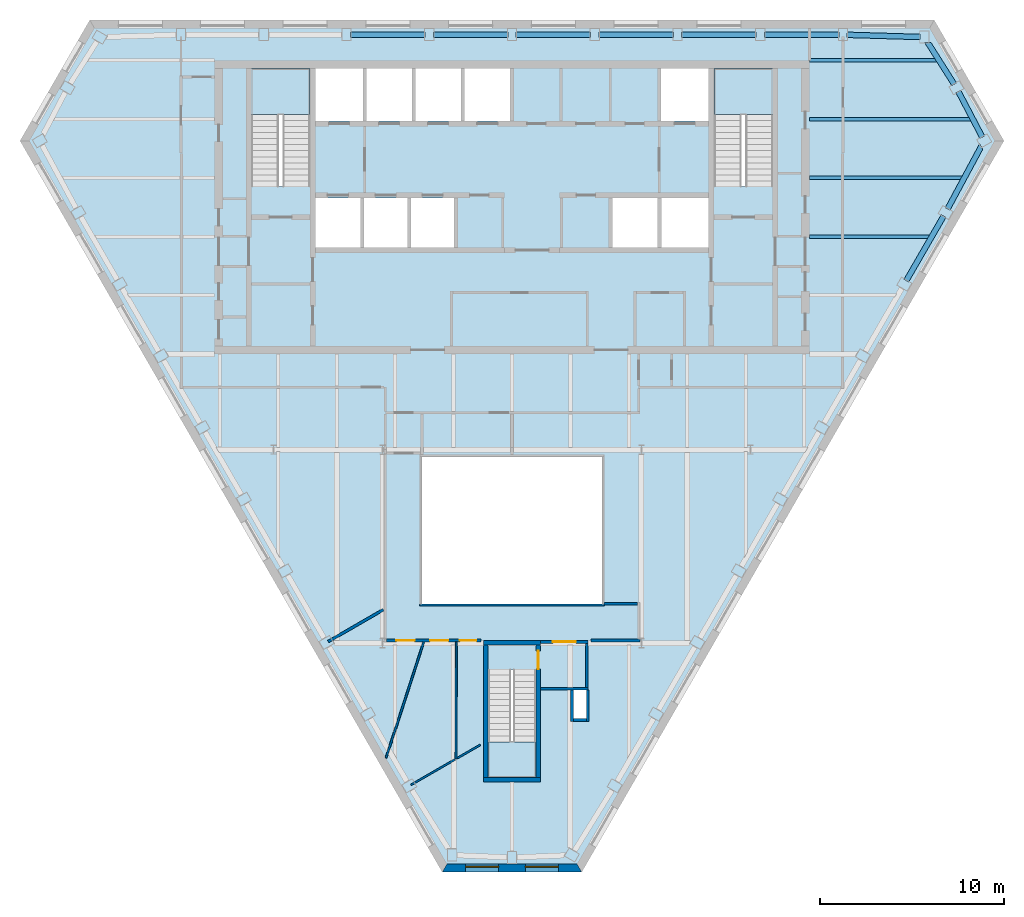
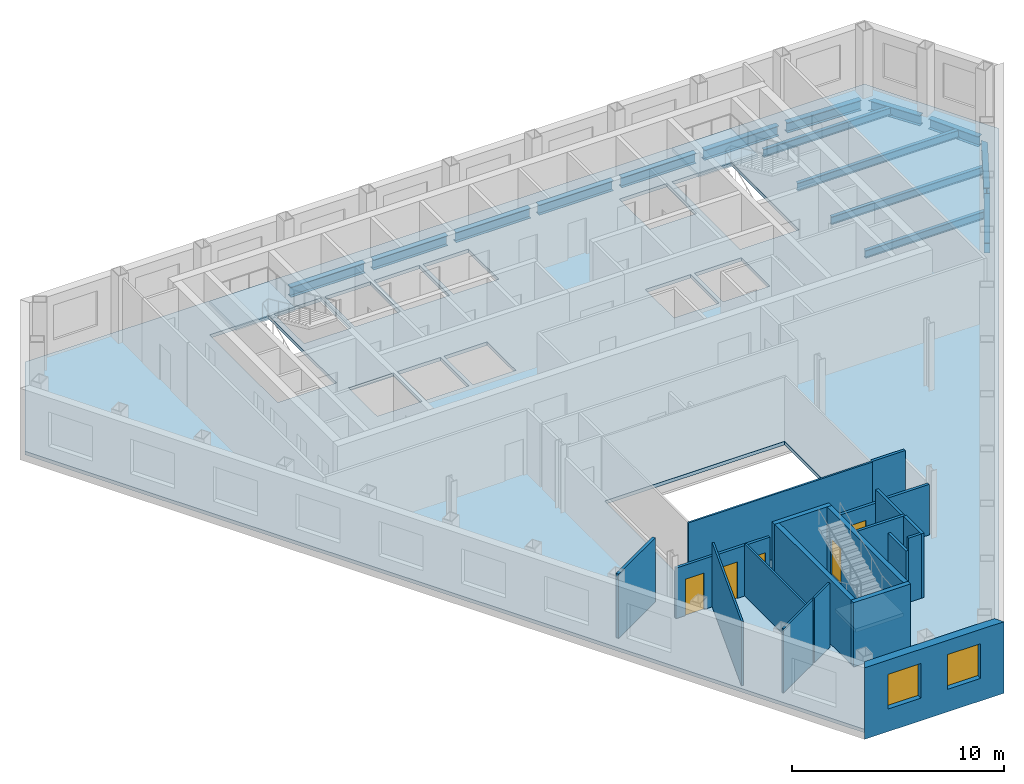
# One storey, part 3 of 10: 20 walls, 15 beams, 5 doors, 4 slabs, 2 windows, 7 openings, 3 elements without a shape of their own.
"""IFC4 building model written with IfcOpenShell, lengths in metres."""

from ifc_helpers import new_model, si_unit, direction, frame, frame_2d, origin, origin_2d, place, context, subcontext, project, spatial, polyline, rectangle, i_section, outline, extrude, clip, halfspace, material, layer, layer_set, material_profile, profile_set, type_object, element, fill, aggregate, save


model = new_model("IFC4")

# Units and contexts
model_context = context("Model", 3, precision=1e-05, world=origin(), true_north=direction((0.0, 1.0)))
body_context = subcontext(model_context, "Body", "Model", "MODEL_VIEW")
ifc_project = project(units=[si_unit("LENGTHUNIT", "METRE"), si_unit("AREAUNIT", "SQUARE_METRE"), si_unit("VOLUMEUNIT", "CUBIC_METRE"), si_unit("PLANEANGLEUNIT", "RADIAN"), si_unit("MASSUNIT", "GRAM", prefix="KILO")], contexts=[model_context])

# Site, building, storey
site_placement = place(None, origin())
site = spatial("IfcSite", under=ifc_project, at=site_placement, CompositionType="ELEMENT")
building_placement = place(site_placement, origin())
building = spatial("IfcBuilding", under=site, at=building_placement, Name="Njiva Tower", CompositionType="ELEMENT")
storey_placement = place(building_placement, frame((0.0, 0.0, 200.4)))
storey = spatial("IfcBuildingStorey", under=building, at=storey_placement, Name="L44", CompositionType="ELEMENT", Elevation=200.4)

# Beams
ifc_material_1 = material(Name="Steel S355 J2", Category="steel")
ifc_material_profile_1 = material_profile(ifc_material_1, i_section(OverallWidth=0.3, OverallDepth=0.59, WebThickness=0.013, FlangeThickness=0.025, at=origin_2d()), Name="HEA 600")
ifc_profile_set_1 = profile_set([ifc_material_profile_1], Name="Steel S355 J2")
beam_type_1 = type_object("IfcBeamType", Name="B27 Short-span spandrel beam HEA 600", PredefinedType="SPANDREL", material=ifc_profile_set_1)
beam_1_placement = place(storey_placement, frame((22.232, 19.274, -0.495), z_axis=(-0.999551735133, 0.029938750687, 0.0), x_axis=(-0.029938750687, -0.999551735133, 0.0)))
element("IfcBeam", 1, at=beam_1_placement, inside=storey, type_object=beam_type_1, Name="Short-span spandrel beam S14-B132", PredefinedType="SPANDREL", context=body_context, shape_type="SweptSolid", body=[
    extrude(i_section(OverallWidth=0.3, OverallDepth=0.59, WebThickness=0.013, FlangeThickness=0.025, at=origin_2d()), origin(), (0.0, 0.0, 1.0), 3.9748),
])
beam_2_placement = place(storey_placement, frame((17.805, 19.4, -0.495), z_axis=(-1.0, 0.0, 0.0), x_axis=(0.0, -1.0, 0.0)))
element("IfcBeam", 2, at=beam_2_placement, inside=storey, type_object=beam_type_1, Name="Short-span spandrel beam S14-B127", PredefinedType="SPANDREL", context=body_context, shape_type="SweptSolid", body=[
    extrude(i_section(OverallWidth=0.3, OverallDepth=0.59, WebThickness=0.013, FlangeThickness=0.025, at=origin_2d()), origin(), (0.0, 0.0, 1.0), 4.057),
])
beam_3_placement = place(storey_placement, frame((13.298, 19.4, -0.495), z_axis=(-1.0, 0.0, 0.0), x_axis=(0.0, -1.0, 0.0)))
element("IfcBeam", 3, at=beam_3_placement, inside=storey, type_object=beam_type_1, Name="Short-span spandrel beam S14-B122", PredefinedType="SPANDREL", context=body_context, shape_type="SweptSolid", body=[
    extrude(i_section(OverallWidth=0.3, OverallDepth=0.59, WebThickness=0.013, FlangeThickness=0.025, at=origin_2d()), origin(), (0.0, 0.0, 1.0), 4.058),
])
beam_4_placement = place(storey_placement, frame((8.79, 19.4, -0.495), z_axis=(-1.0, 0.0, 0.0), x_axis=(0.0, -1.0, 0.0)))
element("IfcBeam", 4, at=beam_4_placement, inside=storey, type_object=beam_type_1, Name="Short-span spandrel beam S14-B117", PredefinedType="SPANDREL", context=body_context, shape_type="SweptSolid", body=[
    extrude(i_section(OverallWidth=0.3, OverallDepth=0.59, WebThickness=0.013, FlangeThickness=0.025, at=origin_2d()), origin(), (0.0, 0.0, 1.0), 4.057),
])
for number, where, z_axis, x_axis, name in (
    (5, (4.283, 19.4, -0.495), (-1.0, 0.0, 0.0), (0.0, -1.0, 0.0), "Short-span spandrel beam S14-B112"),
    (6, (-0.225, 19.4, -0.495), (-1.0, 0.0, 0.0), (0.0, -1.0, 0.0), "Short-span spandrel beam S14-B109"),
):
    element("IfcBeam", number, at=place(storey_placement, frame(where, z_axis=z_axis, x_axis=x_axis)), inside=storey, type_object=beam_type_1, Name=name, PredefinedType="SPANDREL", context=body_context, shape_type="SweptSolid", body=[
        extrude(i_section(OverallWidth=0.3, OverallDepth=0.59, WebThickness=0.013, FlangeThickness=0.025, at=origin_2d()), origin(), (0.0, 0.0, 1.0), 4.058),
    ])
beam_5_placement = place(storey_placement, frame((-4.733, 19.4, -0.495), z_axis=(-1.0, 0.0, 0.0), x_axis=(0.0, -1.0, 0.0)))
element("IfcBeam", 7, at=beam_5_placement, inside=storey, type_object=beam_type_1, Name="Short-span spandrel beam S14-B104", PredefinedType="SPANDREL", context=body_context, shape_type="SweptSolid", body=[
    extrude(i_section(OverallWidth=0.3, OverallDepth=0.59, WebThickness=0.013, FlangeThickness=0.025, at=origin_2d()), origin(), (0.0, 0.0, 1.0), 4.057),
])
beam_6_placement = place(storey_placement, frame((21.481, 6.006, -0.495), z_axis=(0.500142068684, 0.865943364853, 0.0), x_axis=(-0.865943364853, 0.500142068684, 0.0)))
element("IfcBeam", 8, at=beam_6_placement, inside=storey, type_object=beam_type_1, Name="Short-span spandrel beam S14-B136", PredefinedType="SPANDREL", context=body_context, shape_type="SweptSolid", body=[
    extrude(i_section(OverallWidth=0.3, OverallDepth=0.59, WebThickness=0.013, FlangeThickness=0.025, at=origin_2d()), origin(), (0.0, 0.0, 1.0), 4.0568),
])
beam_7_placement = place(storey_placement, frame((23.731, 9.915, -0.495), z_axis=(0.473697336162, 0.880687704986, 0.0), x_axis=(-0.880687704986, 0.473697336162, 0.0)))
element("IfcBeam", 9, at=beam_7_placement, inside=storey, type_object=beam_type_1, Name="Short-span spandrel beam S14-B140", PredefinedType="SPANDREL", context=body_context, shape_type="Clipping", body=[
    clip(extrude(i_section(OverallWidth=0.3, OverallDepth=0.59, WebThickness=0.013, FlangeThickness=0.025, at=origin_2d()), origin(), (0.0, 0.0, 1.0), 3.9657), halfspace(frame((-0.026, 0.0, 3.8362), z_axis=(-0.525851211947, 0.0, 0.850576570859), x_axis=(0.0, 1.0, 0.0)), False)),
])
beam_8_placement = place(storey_placement, frame((25.616, 13.822, -0.495), z_axis=(-0.464393456364, 0.885628995509, 0.0), x_axis=(-0.885628995509, -0.464393456364, 0.0)))
element("IfcBeam", 10, at=beam_8_placement, inside=storey, type_object=beam_type_1, Name="Short-span spandrel beam S14-B141", PredefinedType="SPANDREL", context=body_context, shape_type="SweptSolid", body=[
    extrude(i_section(OverallWidth=0.3, OverallDepth=0.59, WebThickness=0.013, FlangeThickness=0.025, at=origin_2d()), origin(), (0.0, 0.0, 1.0), 2.8037),
])
beam_9_placement = place(storey_placement, frame((24.084, 16.704, -0.495), z_axis=(-0.53498990648, 0.844858449661, 0.0), x_axis=(-0.844858449661, -0.53498990648, 0.0)))
element("IfcBeam", 11, at=beam_9_placement, inside=storey, type_object=beam_type_1, Name="Short-span spandrel beam S14-B137", PredefinedType="SPANDREL", context=body_context, shape_type="Clipping", body=[
    clip(extrude(i_section(OverallWidth=0.3, OverallDepth=0.59, WebThickness=0.013, FlangeThickness=0.025, at=origin_2d()), origin(), (0.0, 0.0, 1.0), 2.7936), halfspace(frame((-0.0269, 0.0, 2.6615), z_axis=(-0.53498990648, 0.0, 0.844858449661), x_axis=(0.0, 1.0, 0.0)), False)),
])
ifc_material_profile_2 = material_profile(ifc_material_1, i_section(OverallWidth=0.19, OverallDepth=0.45, WebThickness=0.0094, FlangeThickness=0.0146, at=origin_2d()), Name="IPE 450")
ifc_profile_set_2 = profile_set([ifc_material_profile_2], Name="Steel S355 J2")
beam_type_2 = type_object("IfcBeamType", Name="B37 Floor beam to the core IPE 450", PredefinedType="BEAM", material=ifc_profile_set_2)
beam_10_placement = place(storey_placement, frame((16.2, 8.4, -0.425), z_axis=(1.0, 0.0, 0.0), x_axis=(0.0, 1.0, 0.0)))
element("IfcBeam", 12, at=beam_10_placement, inside=storey, type_object=beam_type_2, Name="Floor beam to the core S14-B007", PredefinedType="BEAM", context=body_context, shape_type="Clipping", body=[
    clip(extrude(i_section(OverallWidth=0.19, OverallDepth=0.45, WebThickness=0.0094, FlangeThickness=0.0146, at=origin_2d()), origin(), (0.0, 0.0, 1.0), 6.623), halfspace(frame((-0.025, 0.0, 6.5336), z_axis=(-0.499998009787, 0.0, 0.866026552831), x_axis=(0.0, 1.0, 0.0)), False)),
])
beam_11_placement = place(storey_placement, frame((16.2, 11.6, -0.425), z_axis=(1.0, 0.0, 0.0), x_axis=(0.0, 1.0, 0.0)))
element("IfcBeam", 13, at=beam_11_placement, inside=storey, type_object=beam_type_2, Name="Floor beam to the core S14-B008", PredefinedType="BEAM", context=body_context, shape_type="Clipping", body=[
    clip(extrude(i_section(OverallWidth=0.19, OverallDepth=0.45, WebThickness=0.0094, FlangeThickness=0.0146, at=origin_2d()), origin(), (0.0, 0.0, 1.0), 8.394), halfspace(frame((-0.0237, 0.0, 8.3105), z_axis=(-0.473769423091, 0.0, 0.880648927634), x_axis=(0.0, 1.0, 0.0)), False)),
])
beam_12_placement = place(storey_placement, frame((16.2, 14.8, -0.425), z_axis=(1.0, 0.0, 0.0), x_axis=(0.0, 1.0, 0.0)))
element("IfcBeam", 14, at=beam_12_placement, inside=storey, type_object=beam_type_2, Name="Floor beam to the core S14-B009", PredefinedType="BEAM", context=body_context, shape_type="Clipping", body=[
    clip(extrude(i_section(OverallWidth=0.19, OverallDepth=0.45, WebThickness=0.0094, FlangeThickness=0.0146, at=origin_2d()), origin(), (0.0, 0.0, 1.0), 8.86), halfspace(frame((0.0232, 0.0, 8.778), z_axis=(0.464267418007, 0.0, 0.885695074265), x_axis=(0.0, 1.0, 0.0)), False)),
])
beam_13_placement = place(storey_placement, frame((16.2, 18.0, -0.425), z_axis=(1.0, 0.0, 0.0), x_axis=(0.0, 1.0, 0.0)))
element("IfcBeam", 15, at=beam_13_placement, inside=storey, type_object=beam_type_2, Name="Floor beam to the core S14-B010", PredefinedType="BEAM", context=body_context, shape_type="Clipping", body=[
    clip(extrude(i_section(OverallWidth=0.19, OverallDepth=0.45, WebThickness=0.0094, FlangeThickness=0.0146, at=origin_2d()), origin(), (0.0, 0.0, 1.0), 7.025), halfspace(frame((0.0267, 0.0, 6.928), z_axis=(0.534902428971, 0.0, 0.84491383672), x_axis=(0.0, 1.0, 0.0)), False)),
])

# Stair, slab
ifc_material_2 = material(Name="Concrete C40/50", Category="concrete")
stair_type_1 = type_object("IfcStairType", Name="ST4 Exit stair 1500", PredefinedType="HALF_TURN_STAIR", material=ifc_material_2)
stair_1_placement = place(storey_placement, origin())
stair_1 = element("IfcStair", 16, at=stair_1_placement, inside=storey, type_object=stair_type_1, Name="Stair A", PredefinedType="HALF_TURN_STAIR")
ifc_layer_1 = layer(ifc_material_2, 0.2)
ifc_layer_set_1 = layer_set([ifc_layer_1], Name="Concrete C40/50")
slab_type_1 = type_object("IfcSlabType", Name="FL9 Stair landing 200", PredefinedType="LANDING", material=ifc_layer_set_1)
slab_1_placement = place(storey_placement, frame((0.0, 0.0, 1.75)))
slab_1 = element("IfcSlab", 17, at=slab_1_placement, type_object=slab_type_1, Name="ST-A landing 1", PredefinedType="LANDING", context=body_context, shape_type="SweptSolid", body=[
    extrude(outline(polyline([(-14.206, 15.06), (-10.994, 15.06), (-10.994, 17.55), (-14.206, 17.55), (-14.206, 15.06)])), origin(), (0.0, 0.0, 1.0), 0.2),
])
aggregate(stair_1, [slab_1])

stair_2_placement = place(storey_placement, origin())
stair_2 = element("IfcStair", 18, at=stair_2_placement, inside=storey, type_object=stair_type_1, Name="Stair B", PredefinedType="HALF_TURN_STAIR")
slab_2_placement = place(storey_placement, frame((0.0, 0.0, 1.75)))
slab_2 = element("IfcSlab", 19, at=slab_2_placement, type_object=slab_type_1, Name="ST-B landing 1", PredefinedType="LANDING", context=body_context, shape_type="SweptSolid", body=[
    extrude(outline(polyline([(10.994, 15.06), (14.206, 15.06), (14.206, 17.55), (10.994, 17.55), (10.994, 15.06)])), origin(), (0.0, 0.0, 1.0), 0.2),
])
aggregate(stair_2, [slab_2])

stair_type_2 = type_object("IfcStairType", Name="ST1 Exit stair 1250", PredefinedType="HALF_TURN_STAIR", material=ifc_material_2)
stair_3_placement = place(storey_placement, origin())
stair_3 = element("IfcStair", 20, at=stair_3_placement, inside=storey, type_object=stair_type_2, Name="Stair C", PredefinedType="HALF_TURN_STAIR")
slab_3_placement = place(storey_placement, frame((0.0, 0.0, 1.75)))
slab_3 = element("IfcSlab", 21, at=slab_3_placement, type_object=slab_type_1, Name="ST-C landing 1", PredefinedType="LANDING", context=body_context, shape_type="SweptSolid", body=[
    extrude(outline(polyline([(-1.306, -21.05), (1.306, -21.05), (1.306, -19.12), (-1.306, -19.12), (-1.306, -21.05)])), origin(), (0.0, 0.0, 1.0), 0.2),
])
aggregate(stair_3, [slab_3])

# Slab
ifc_material_3 = material(Name="Concrete C30/37", Category="concrete")
ifc_layer_2 = layer(ifc_material_3, 0.2)
ifc_layer_set_2 = layer_set([ifc_layer_2], Name="Concrete C30/37")
slab_type_2 = type_object("IfcSlabType", Name="SL16 Composite floor slab 200", PredefinedType="FLOOR", material=ifc_layer_set_2)
slab_4_placement = place(storey_placement, frame((0.0, 0.0, -0.2)))
element("IfcSlab", 22, at=slab_4_placement, inside=storey, type_object=slab_type_2, Name="Floor slab L44", PredefinedType="FLOOR", context=body_context, shape_type="SweptSolid", body=[
    extrude(outline(polyline([(26.5402, 13.6182), (3.6701, -25.994), (-3.6701, -25.994), (-26.5402, 13.6182), (-22.8701, 19.975), (22.8701, 19.975), (26.5402, 13.6182)]), holes=[polyline([(10.994, 11.13), (14.206, 11.13), (14.206, 17.55), (10.994, 17.55), (10.994, 11.13)]), polyline([(8.125, 14.7), (10.7, 14.7), (10.7, 17.55), (8.125, 17.55), (8.125, 14.7)]), polyline([(8.1333, 7.8), (10.7, 7.8), (10.7, 10.5), (8.1333, 10.5), (8.1333, 7.8)]), polyline([(5.4667, 7.8), (7.9333, 7.8), (7.9333, 10.5), (5.4667, 10.5), (5.4667, 7.8)]), polyline([(4.9, -11.6), (4.9, -3.6), (-4.9, -3.6), (-4.9, -11.6), (4.9, -11.6)]), polyline([(3.35, -17.85), (4.05, -17.85), (4.05, -16.3), (3.35, -16.3), (3.35, -17.85)]), polyline([(-1.306, -21.05), (1.306, -21.05), (1.306, -15.19), (-1.306, -15.19), (-1.306, -21.05)]), polyline([(-2.575, 14.7), (-0.1, 14.7), (-0.1, 17.55), (-2.575, 17.55), (-2.575, 14.7)]), polyline([(-5.25, 14.7), (-2.775, 14.7), (-2.775, 17.55), (-5.25, 17.55), (-5.25, 14.7)]), polyline([(-5.5, 7.8), (-3.15, 7.8), (-3.15, 10.5), (-5.5, 10.5), (-5.5, 7.8)]), polyline([(-7.925, 14.7), (-5.45, 14.7), (-5.45, 17.55), (-7.925, 17.55), (-7.925, 14.7)]), polyline([(-8.05, 7.8), (-5.7, 7.8), (-5.7, 10.5), (-8.05, 10.5), (-8.05, 7.8)]), polyline([(-10.7, 14.7), (-8.125, 14.7), (-8.125, 17.55), (-10.7, 17.55), (-10.7, 14.7)]), polyline([(-8.25, 7.8), (-8.25, 10.5), (-10.7, 10.5), (-10.7, 7.8), (-8.25, 7.8)]), polyline([(-14.206, 11.13), (-10.994, 11.13), (-10.994, 17.55), (-14.206, 17.55), (-14.206, 11.13)])]), origin(), (0.0, 0.0, 1.0), 0.2),
])

# Walls
ifc_material_4 = material(Name="Gypsum board on steel studs", Category="gypsum")
ifc_layer_3 = layer(ifc_material_4, 0.1)
ifc_layer_set_3 = layer_set([ifc_layer_3], Name="Gypsum board on steel studs")
wall_type_1 = type_object("IfcWallType", Name="WT20 Gypsum partition 100", PredefinedType="PARTITIONING", material=ifc_layer_set_3)
wall_1_placement = place(storey_placement, frame((-6.866, -20.008, 0.0), z_axis=(0.0, 0.0, 1.0), x_axis=(0.309446795586, 0.95091675803, 0.0)))
element("IfcWall", 23, at=wall_1_placement, inside=storey, type_object=wall_type_1, Name="Partition S14-P010", PredefinedType="PARTITIONING", context=body_context, shape_type="SweptSolid", body=[
    extrude(rectangle(XDim=6.6441, YDim=0.1, at=frame_2d((3.322, 0.0))), origin(), (0.0, 0.0, 1.0), 3.7),
])
wall_2_placement = place(storey_placement, frame((-5.505, -21.465, 0.0), z_axis=(0.0, 0.0, 1.0), x_axis=(0.866269282503, 0.49957735156, 0.0)))
element("IfcWall", 24, at=wall_2_placement, inside=storey, type_object=wall_type_1, Name="Partition S14-P013", PredefinedType="PARTITIONING", context=body_context, shape_type="SweptSolid", body=[
    extrude(rectangle(XDim=2.7844, YDim=0.1, at=frame_2d((1.3922, 0.0))), origin(), (0.0, 0.0, 1.0), 3.7),
])
wall_3_placement = place(storey_placement, frame((-3.056, -20.051, 0.0), z_axis=(0.0, 0.0, 1.0), x_axis=(0.002979911487, 0.999995560054, 0.0)))
element("IfcWall", 25, at=wall_3_placement, inside=storey, type_object=wall_type_1, Name="Partition S14-P015", PredefinedType="PARTITIONING", context=body_context, shape_type="SweptSolid", body=[
    extrude(rectangle(XDim=6.376, YDim=0.1, at=frame_2d((3.188, 0.0))), origin(), (0.0, 0.0, 1.0), 3.01),
])
wall_4_placement = place(storey_placement, frame((-2.981, -20.009, 0.0), z_axis=(0.0, 0.0, 1.0), x_axis=(0.866070766281, 0.499921421619, 0.0)))
element("IfcWall", 26, at=wall_4_placement, inside=storey, type_object=wall_type_1, Name="Partition S14-P016", PredefinedType="PARTITIONING", context=body_context, shape_type="SweptSolid", body=[
    extrude(rectangle(XDim=1.4502, YDim=0.1, at=frame_2d((0.7251, 0.0))), origin(), (0.0, 0.0, 1.0), 3.7),
])
ifc_layer_4 = layer(ifc_material_4, 0.15)
ifc_layer_set_4 = layer_set([ifc_layer_4], Name="Gypsum board on steel studs")
wall_type_2 = type_object("IfcWallType", Name="WT21 Compartment wall 150", PredefinedType="PARTITIONING", material=ifc_layer_set_4)
wall_5_placement = place(storey_placement, frame((-10.013, -13.658, 0.0), z_axis=(0.0, 0.0, 1.0), x_axis=(0.865906746611, 0.500205463959, 0.0)))
element("IfcWall", 27, at=wall_5_placement, inside=storey, type_object=wall_type_2, Name="Partition S14-P006", PredefinedType="PARTITIONING", context=body_context, shape_type="SweptSolid", body=[
    extrude(rectangle(XDim=3.4646, YDim=0.15, at=frame_2d((1.7323, 0.0))), origin(), (0.0, 0.0, 1.0), 3.7),
])

# Wall, openings, doors
wall_6_placement = place(storey_placement, frame((-6.825, -13.6, 0.0), z_axis=(0.0, 0.0, 1.0), x_axis=(1.0, 0.0, 0.0)))
wall_6 = element("IfcWall", 28, at=wall_6_placement, inside=storey, type_object=wall_type_2, Name="Partition S14-P011", PredefinedType="PARTITIONING", context=body_context, shape_type="SweptSolid", body=[
    extrude(rectangle(XDim=5.125, YDim=0.15, at=frame_2d((2.5625, 0.0))), origin(), (0.0, 0.0, 1.0), 2.91),
])
opening_1_placement = place(wall_6_placement, frame((0.522, 0.0, 0.0)))
opening_1 = element("IfcOpeningElement", 29, at=opening_1_placement, cuts=wall_6, Name="Opening S14-D006", PredefinedType="OPENING", context=body_context, shape_type="SweptSolid", body=[
    extrude(rectangle(XDim=1.0, YDim=2.1, at=frame_2d((0.5, 1.05))), frame((0.0, 0.085, 0.0), z_axis=(0.0, -1.0, 0.0), x_axis=(1.0, 0.0, 0.0)), (0.0, 0.0, 1.0), 0.17),
])
opening_2_placement = place(wall_6_placement, frame((2.359, 0.0, 0.0)))
opening_2 = element("IfcOpeningElement", 30, at=opening_2_placement, cuts=wall_6, Name="Opening S14-D007", PredefinedType="OPENING", context=body_context, shape_type="SweptSolid", body=[
    extrude(rectangle(XDim=1.0, YDim=2.1, at=frame_2d((0.5, 1.05))), frame((0.0, 0.085, 0.0), z_axis=(0.0, -1.0, 0.0), x_axis=(1.0, 0.0, 0.0)), (0.0, 0.0, 1.0), 0.17),
])
opening_3_placement = place(wall_6_placement, frame((3.988, 0.0, 0.0)))
opening_3 = element("IfcOpeningElement", 31, at=opening_3_placement, cuts=wall_6, Name="Opening S14-D008", PredefinedType="OPENING", context=body_context, shape_type="SweptSolid", body=[
    extrude(rectangle(XDim=0.9, YDim=2.1, at=frame_2d((0.45, 1.05))), frame((0.0, 0.085, 0.0), z_axis=(0.0, -1.0, 0.0), x_axis=(1.0, 0.0, 0.0)), (0.0, 0.0, 1.0), 0.17),
])
ifc_material_5 = material(Name="Steel fire door set", Category="steel")
door_type_1 = type_object("IfcDoorType", Name="D36 Fire door 900x2100", OperationType="SINGLE_SWING_LEFT", PredefinedType="DOOR", material=ifc_material_5)
door_1_placement = place(opening_3_placement, origin())
door_1 = element("IfcDoor", 32, at=door_1_placement, inside=storey, type_object=door_type_1, Name="Door S14-D008", OperationType="SINGLE_SWING_RIGHT", OverallHeight=2.1, OverallWidth=0.9, PredefinedType="DOOR", context=body_context, shape_type="SweptSolid", body=[
    extrude(rectangle(XDim=0.9, YDim=2.1, at=frame_2d((0.45, 1.05))), frame((0.0, 0.025, 0.0), z_axis=(0.0, -1.0, 0.0), x_axis=(1.0, 0.0, 0.0)), (0.0, 0.0, 1.0), 0.05),
])
fill(opening_3, door_1)
door_type_2 = type_object("IfcDoorType", Name="D37 Fire door 1000x2100", OperationType="SINGLE_SWING_LEFT", PredefinedType="DOOR", material=ifc_material_5)
door_2_placement = place(opening_1_placement, origin())
door_2 = element("IfcDoor", 33, at=door_2_placement, inside=storey, type_object=door_type_2, Name="Door S14-D006", OperationType="SINGLE_SWING_LEFT", OverallHeight=2.1, OverallWidth=1.0, PredefinedType="DOOR", context=body_context, shape_type="SweptSolid", body=[
    extrude(rectangle(XDim=1.0, YDim=2.1, at=frame_2d((0.5, 1.05))), frame((0.0, 0.025, 0.0), z_axis=(0.0, -1.0, 0.0), x_axis=(1.0, 0.0, 0.0)), (0.0, 0.0, 1.0), 0.05),
])
fill(opening_1, door_2)
door_3_placement = place(opening_2_placement, origin())
door_3 = element("IfcDoor", 34, at=door_3_placement, inside=storey, type_object=door_type_2, Name="Door S14-D007", OperationType="SINGLE_SWING_RIGHT", OverallHeight=2.1, OverallWidth=1.0, PredefinedType="DOOR", context=body_context, shape_type="SweptSolid", body=[
    extrude(rectangle(XDim=1.0, YDim=2.1, at=frame_2d((0.5, 1.05))), frame((0.0, 0.025, 0.0), z_axis=(0.0, -1.0, 0.0), x_axis=(1.0, 0.0, 0.0)), (0.0, 0.0, 1.0), 0.05),
])
fill(opening_2, door_3)

# Walls
wall_7_placement = place(storey_placement, frame((4.3, -13.6, 0.0), z_axis=(0.0, 0.0, 1.0), x_axis=(1.0, 0.0, 0.0)))
element("IfcWall", 35, at=wall_7_placement, inside=storey, type_object=wall_type_2, Name="Partition S14-P018", PredefinedType="PARTITIONING", context=body_context, shape_type="SweptSolid", body=[
    extrude(rectangle(XDim=2.675, YDim=0.15, at=frame_2d((1.3375, 0.0))), origin(), (0.0, 0.0, 1.0), 2.91),
])
wall_8_placement = place(storey_placement, frame((5.02, -11.6, 0.0), z_axis=(0.0, 0.0, 1.0), x_axis=(1.0, 0.0, 0.0)))
element("IfcWall", 36, at=wall_8_placement, inside=storey, type_object=wall_type_2, Name="Partition S14-P019", PredefinedType="PARTITIONING", context=body_context, shape_type="SweptSolid", body=[
    extrude(rectangle(XDim=1.805, YDim=0.15, at=frame_2d((0.9025, 0.0))), origin(), (0.0, 0.0, 1.0), 3.7),
])
ifc_material_6 = material(Name="Blockwork", Category="masonry")
ifc_layer_5 = layer(ifc_material_6, 0.15)
ifc_layer_set_5 = layer_set([ifc_layer_5], Name="Blockwork")
wall_type_3 = type_object("IfcWallType", Name="WT4 Stair partition 150", PredefinedType="PARTITIONING", material=ifc_layer_set_5)
wall_9_placement = place(storey_placement, frame((1.55, -16.225, 0.0), z_axis=(0.0, 0.0, 1.0), x_axis=(1.0, 0.0, 0.0)))
element("IfcWall", 37, at=wall_9_placement, inside=storey, type_object=wall_type_3, Name="Stair C vestibule wall south", PredefinedType="PARTITIONING", context=body_context, shape_type="SweptSolid", body=[
    extrude(rectangle(XDim=2.6, YDim=0.15, at=frame_2d((1.3, 0.0))), origin(), (0.0, 0.0, 1.0), 3.7),
])
wall_10_placement = place(storey_placement, frame((4.075, -16.15, 0.0), z_axis=(0.0, 0.0, 1.0), x_axis=(0.0, 1.0, 0.0)))
element("IfcWall", 38, at=wall_10_placement, inside=storey, type_object=wall_type_3, Name="Stair C vestibule wall east", PredefinedType="PARTITIONING", context=body_context, shape_type="SweptSolid", body=[
    extrude(rectangle(XDim=2.4, YDim=0.15, at=frame_2d((1.2, 0.0))), origin(), (0.0, 0.0, 1.0), 3.7),
])

# Wall, opening, door
wall_11_placement = place(storey_placement, frame((1.55, -13.675, 0.0), z_axis=(0.0, 0.0, 1.0), x_axis=(1.0, 0.0, 0.0)))
wall_11 = element("IfcWall", 39, at=wall_11_placement, inside=storey, type_object=wall_type_3, Name="Stair C vestibule wall north", PredefinedType="PARTITIONING", context=body_context, shape_type="SweptSolid", body=[
    extrude(rectangle(XDim=2.6, YDim=0.15, at=frame_2d((1.3, 0.0))), origin(), (0.0, 0.0, 1.0), 2.91),
])
opening_4_placement = place(wall_11_placement, frame((0.675, 0.0, 0.0)))
opening_4 = element("IfcOpeningElement", 40, at=opening_4_placement, cuts=wall_11, Name="Opening S14-D940", PredefinedType="OPENING", context=body_context, shape_type="SweptSolid", body=[
    extrude(rectangle(XDim=1.25, YDim=2.1, at=frame_2d((0.625, 1.05))), frame((0.0, 0.085, 0.0), z_axis=(0.0, -1.0, 0.0), x_axis=(1.0, 0.0, 0.0)), (0.0, 0.0, 1.0), 0.17),
])
ifc_material_7 = material(Name="Glazed steel fire door", Category="steel")
door_type_3 = type_object("IfcDoorType", Name="D8 Vestibule corridor door 1250x2100 glazed", OperationType="SINGLE_SWING_LEFT", PredefinedType="DOOR", material=ifc_material_7)
door_4_placement = place(opening_4_placement, origin())
door_4 = element("IfcDoor", 41, at=door_4_placement, inside=storey, type_object=door_type_3, Name="Stair vestibule corridor door", OperationType="SINGLE_SWING_RIGHT", OverallHeight=2.1, OverallWidth=1.25, PredefinedType="DOOR", context=body_context, shape_type="SweptSolid", body=[
    extrude(rectangle(XDim=1.25, YDim=2.1, at=frame_2d((0.625, 1.05))), frame((0.0, 0.025, 0.0), z_axis=(0.0, -1.0, 0.0), x_axis=(1.0, 0.0, 0.0)), (0.0, 0.0, 1.0), 0.05),
])
fill(opening_4, door_4)

# Walls
wall_12_placement = place(storey_placement, frame((3.275, -18.0, 0.0), z_axis=(0.0, 0.0, 1.0), x_axis=(0.0, 1.0, 0.0)))
element("IfcWall", 42, at=wall_12_placement, inside=storey, type_object=wall_type_3, Name="Stair C pressurisation shaft wall", PredefinedType="PARTITIONING", context=body_context, shape_type="SweptSolid", body=[
    extrude(rectangle(XDim=1.7, YDim=0.15, at=frame_2d((0.85, 0.0))), origin(), (0.0, 0.0, 1.0), 3.01),
])
wall_13_placement = place(storey_placement, frame((3.35, -17.925, 0.0), z_axis=(0.0, 0.0, 1.0), x_axis=(1.0, 0.0, 0.0)))
element("IfcWall", 43, at=wall_13_placement, inside=storey, type_object=wall_type_3, Name="Stair C pressurisation shaft wall", PredefinedType="PARTITIONING", context=body_context, shape_type="SweptSolid", body=[
    extrude(rectangle(XDim=0.7, YDim=0.15, at=frame_2d((0.35, 0.0))), origin(), (0.0, 0.0, 1.0), 3.7),
])
wall_14_placement = place(storey_placement, frame((4.125, -18.0, 0.0), z_axis=(0.0, 0.0, 1.0), x_axis=(0.0, 1.0, 0.0)))
element("IfcWall", 44, at=wall_14_placement, inside=storey, type_object=wall_type_3, Name="Stair C pressurisation shaft wall", PredefinedType="PARTITIONING", context=body_context, shape_type="SweptSolid", body=[
    extrude(rectangle(XDim=1.7, YDim=0.15, at=frame_2d((0.85, 0.0))), origin(), (0.0, 0.0, 1.0), 3.7),
])
ifc_layer_6 = layer(ifc_material_2, 0.25)
ifc_layer_set_6 = layer_set([ifc_layer_6], Name="Concrete C40/50")
wall_type_4 = type_object("IfcWallType", Name="WT9 Stair enclosure wall 250", PredefinedType="SHEAR", material=ifc_layer_set_6)
wall_15_placement = place(storey_placement, frame((-1.425, -21.05, 0.0), z_axis=(0.0, 0.0, 1.0), x_axis=(0.0, 1.0, 0.0)))
element("IfcWall", 45, at=wall_15_placement, inside=storey, type_object=wall_type_4, Name="Stair C wall west", PredefinedType="SHEAR", context=body_context, shape_type="SweptSolid", body=[
    extrude(rectangle(XDim=7.2, YDim=0.25, at=frame_2d((3.6, 0.0))), origin(), (0.0, 0.0, 1.0), 3.7),
])

# Wall, opening, door
wall_16_placement = place(storey_placement, frame((1.425, -21.05, 0.0), z_axis=(0.0, 0.0, 1.0), x_axis=(0.0, 1.0, 0.0)))
wall_16 = element("IfcWall", 46, at=wall_16_placement, inside=storey, type_object=wall_type_4, Name="Stair C wall east", PredefinedType="SHEAR", context=body_context, shape_type="SweptSolid", body=[
    extrude(rectangle(XDim=7.2, YDim=0.25, at=frame_2d((3.6, 0.0))), origin(), (0.0, 0.0, 1.0), 3.7),
])
opening_5_placement = place(wall_16_placement, frame((5.89, 0.0, 0.0)))
opening_5 = element("IfcOpeningElement", 47, at=opening_5_placement, cuts=wall_16, Name="Opening S14-D939", PredefinedType="OPENING", context=body_context, shape_type="SweptSolid", body=[
    extrude(rectangle(XDim=1.0, YDim=2.1, at=frame_2d((0.5, 1.05))), frame((0.0, 0.135, 0.0), z_axis=(0.0, -1.0, 0.0), x_axis=(1.0, 0.0, 0.0)), (0.0, 0.0, 1.0), 0.27),
])
door_type_4 = type_object("IfcDoorType", Name="D9 Stair vestibule door 1000x2100 glazed", OperationType="SINGLE_SWING_LEFT", PredefinedType="DOOR", material=ifc_material_7)
door_5_placement = place(opening_5_placement, origin())
door_5 = element("IfcDoor", 48, at=door_5_placement, inside=storey, type_object=door_type_4, Name="Stair C door", OperationType="SINGLE_SWING_LEFT", OverallHeight=2.1, OverallWidth=1.0, PredefinedType="DOOR", context=body_context, shape_type="SweptSolid", body=[
    extrude(rectangle(XDim=1.0, YDim=2.1, at=frame_2d((0.5, 1.05))), frame((0.0, 0.025, 0.0), z_axis=(0.0, -1.0, 0.0), x_axis=(1.0, 0.0, 0.0)), (0.0, 0.0, 1.0), 0.05),
])
fill(opening_5, door_5)

# Walls
for number, where, z_axis, x_axis, name in (
    (49, (-1.55, -21.175, 0.0), (0.0, 0.0, 1.0), (1.0, 0.0, 0.0), "Stair C wall south"),
    (50, (-1.55, -13.725, 0.0), (0.0, 0.0, 1.0), (1.0, 0.0, 0.0), "Stair C wall north"),
):
    element("IfcWall", number, at=place(storey_placement, frame(where, z_axis=z_axis, x_axis=x_axis)), inside=storey, type_object=wall_type_4, Name=name, PredefinedType="SHEAR", context=body_context, shape_type="SweptSolid", body=[
        extrude(rectangle(XDim=3.1, YDim=0.25, at=frame_2d((1.55, 0.0))), origin(), (0.0, 0.0, 1.0), 3.7),
    ])

# Wall, openings, windows
ifc_material_8 = material(Name="Brick masonry, buff", Category="masonry")
ifc_layer_7 = layer(ifc_material_8, 0.45)
ifc_layer_set_7 = layer_set([ifc_layer_7], Name="Brick masonry, buff")
wall_type_5 = type_object("IfcWallType", Name="WT94 Brick pier and spandrel wall 450, buff", PredefinedType="SOLIDWALL", material=ifc_layer_set_7)
wall_17_placement = place(storey_placement, frame((-3.6701, -25.994, -0.4), z_axis=(0.0, 0.0, 1.0), x_axis=(1.0, 0.0, 0.0)))
wall_17 = element("IfcWall", 51, at=wall_17_placement, inside=storey, type_object=wall_type_5, Name="Facade wall S", PredefinedType="SOLIDWALL", context=body_context, shape_type="SweptSolid", body=[
    extrude(outline(polyline([(-0.1299, -0.225), (7.4701, -0.225), (7.2103, 0.225), (0.1299, 0.225), (-0.1299, -0.225)])), origin(), (0.0, 0.0, 1.0), 4.12),
])
opening_6_placement = place(wall_17_placement, frame((1.1394, 0.0, 1.3)))
opening_6 = element("IfcOpeningElement", 52, at=opening_6_placement, cuts=wall_17, Name="Opening S14-W21", PredefinedType="OPENING", context=body_context, shape_type="SweptSolid", body=[
    extrude(rectangle(XDim=1.8, YDim=2.0, at=frame_2d((0.9, 1.0))), frame((0.0, 0.235, 0.0), z_axis=(0.0, -1.0, 0.0), x_axis=(1.0, 0.0, 0.0)), (0.0, 0.0, 1.0), 0.47),
])
opening_7_placement = place(wall_17_placement, frame((4.4007, 0.0, 1.3)))
opening_7 = element("IfcOpeningElement", 53, at=opening_7_placement, cuts=wall_17, Name="Opening S14-W22", PredefinedType="OPENING", context=body_context, shape_type="SweptSolid", body=[
    extrude(rectangle(XDim=1.8, YDim=2.0, at=frame_2d((0.9, 1.0))), frame((0.0, 0.235, 0.0), z_axis=(0.0, -1.0, 0.0), x_axis=(1.0, 0.0, 0.0)), (0.0, 0.0, 1.0), 0.47),
])
ifc_material_9 = material(Name="Clear glazing in aluminium frame", Category="aluminium")
window_type = type_object("IfcWindowType", Name="W94 Deep-set window 1800x2000", PartitioningType="SINGLE_PANEL", PredefinedType="WINDOW", material=ifc_material_9)
window_1_placement = place(opening_6_placement, origin())
window_1 = element("IfcWindow", 54, at=window_1_placement, inside=storey, type_object=window_type, Name="Window", OverallHeight=2.0, OverallWidth=1.8, PartitioningType="SINGLE_PANEL", PredefinedType="WINDOW", context=body_context, shape_type="SweptSolid", body=[
    extrude(rectangle(XDim=1.8, YDim=2.0, at=frame_2d((0.9, 1.0))), frame((0.0, 0.105, 0.0), z_axis=(0.0, -1.0, 0.0), x_axis=(1.0, 0.0, 0.0)), (0.0, 0.0, 1.0), 0.06),
])
fill(opening_6, window_1)
window_2_placement = place(opening_7_placement, origin())
window_2 = element("IfcWindow", 55, at=window_2_placement, inside=storey, type_object=window_type, Name="Window", OverallHeight=2.0, OverallWidth=1.8, PartitioningType="SINGLE_PANEL", PredefinedType="WINDOW", context=body_context, shape_type="SweptSolid", body=[
    extrude(rectangle(XDim=1.8, YDim=2.0, at=frame_2d((0.9, 1.0))), frame((0.0, 0.105, 0.0), z_axis=(0.0, -1.0, 0.0), x_axis=(1.0, 0.0, 0.0)), (0.0, 0.0, 1.0), 0.06),
])
fill(opening_7, window_2)

# Wall
ifc_material_10 = material(Name="Fire-resisting glazing EI 90", Category="glass")
ifc_layer_8 = layer(ifc_material_10, 0.1)
ifc_layer_set_8 = layer_set([ifc_layer_8], Name="Fire-resisting glazing EI 90")
wall_type_6 = type_object("IfcWallType", Name="WT95 Fire-resisting glazed screen EI 90", PredefinedType="PARTITIONING", material=ifc_layer_set_8)
wall_18_placement = place(storey_placement, frame((-5.02, -11.67, 0.0), z_axis=(0.0, 0.0, 1.0), x_axis=(1.0, 0.0, 0.0)))
element("IfcWall", 56, at=wall_18_placement, inside=storey, type_object=wall_type_6, Name="Atrium fire screen south", PredefinedType="PARTITIONING", context=body_context, shape_type="SweptSolid", body=[
    extrude(rectangle(XDim=10.04, YDim=0.1, at=frame_2d((5.02, 0.0))), origin(), (0.0, 0.0, 1.0), 3.7),
])

save(model, "model.ifc")
